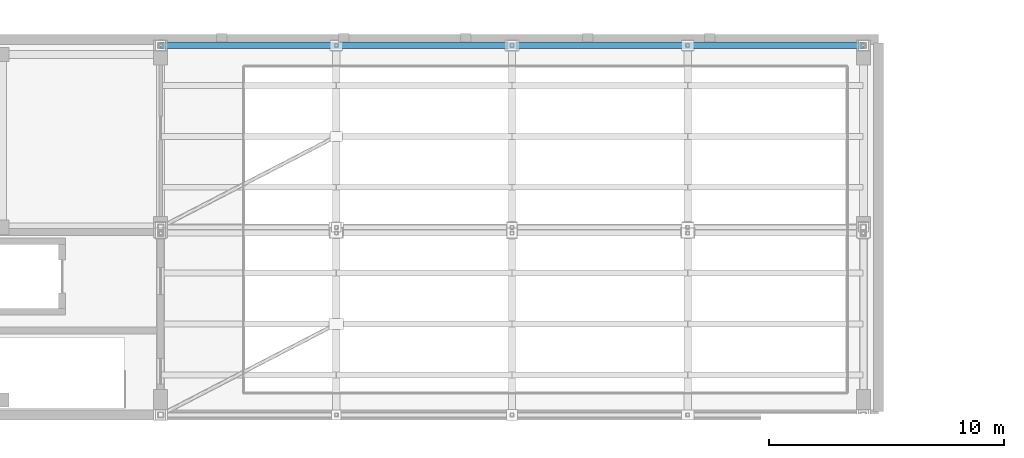
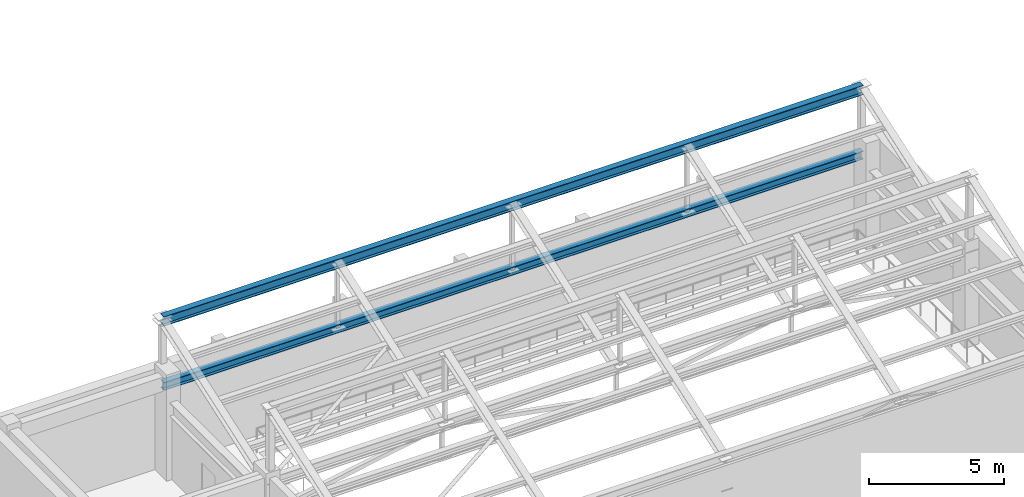
# One storey, part 30 of 76: 2 members.
"""IFC4 building model written with IfcOpenShell, lengths in metres."""

from ifc_helpers import new_model, si_unit, direction, frame, origin, origin_2d, place, context, subcontext, project, spatial, i_section, extrude, material, material_profile, profile_set, type_object, element, save


model = new_model("IFC4")

# Units and contexts
model_context = context("Model", 3, precision=1e-05, world=origin(), true_north=direction((0.0, 1.0)))
body_context = subcontext(model_context, "Body", "Model", "MODEL_VIEW")
ifc_project = project(units=[si_unit("LENGTHUNIT", "METRE"), si_unit("AREAUNIT", "SQUARE_METRE"), si_unit("VOLUMEUNIT", "CUBIC_METRE"), si_unit("PLANEANGLEUNIT", "RADIAN"), si_unit("MASSUNIT", "GRAM", prefix="KILO")], contexts=[model_context])

# Site, building, storey
site_placement = place(None, origin())
site = spatial("IfcSite", under=ifc_project, at=site_placement, CompositionType="ELEMENT")
building_placement = place(site_placement, origin())
building = spatial("IfcBuilding", under=site, at=building_placement, Name="Cinchona Park Media Centre", CompositionType="ELEMENT")
storey_placement = place(building_placement, frame((0.0, 0.0, 15.60009765625)))
storey = spatial("IfcBuildingStorey", under=building, at=storey_placement, Name="L03", CompositionType="ELEMENT", Elevation=15.60009765625)

# Members
ifc_material_1 = material(Name="Steel S355", Category="steel")
ifc_material_profile_1 = material_profile(ifc_material_1, i_section(OverallWidth=0.264892578125, OverallDepth=0.430908203125, WebThickness=0.014892578125, FlangeThickness=0.02490234375, at=origin_2d()), Name="W410X149")
ifc_profile_set_1 = profile_set([ifc_material_profile_1], Name="Steel S355")
member_type_1 = type_object("IfcMemberType", Name="MEMBER-TC03-W410X149", PredefinedType="CHORD", material=ifc_profile_set_1)
member_1_placement = place(storey_placement, frame((15.39990234375, 117.75, 6.699951171875), z_axis=(1.0, 0.0, 0.0), x_axis=(0.0, 1.0, 0.0)))
element("IfcMember", 1, at=member_1_placement, inside=storey, type_object=member_type_1, Name="ROOF TRUSS Ridge Chord V2 Bay 2", PredefinedType="CHORD", context=body_context, shape_type="SweptSolid", body=[
    extrude(i_section(OverallWidth=0.264892578125, OverallDepth=0.430908203125, WebThickness=0.014892578125, FlangeThickness=0.02490234375, at=origin_2d()), origin(), (0.0, 0.0, 1.0), 29.960205078125),
])
ifc_material_2 = material(Name="Steel S355", Category="steel")
ifc_material_profile_2 = material_profile(ifc_material_2, i_section(OverallWidth=0.257080078125, OverallDepth=0.363037109375, WebThickness=0.012939453125, FlangeThickness=0.021728515625, at=origin_2d()), Name="W360X122")
ifc_profile_set_2 = profile_set([ifc_material_profile_2], Name="Steel S355")
member_type_2 = type_object("IfcMemberType", Name="MEMBER-TC04-W360X122", PredefinedType="CHORD", material=ifc_profile_set_2)
member_2_placement = place(storey_placement, frame((15.39990234375, 117.75, 3.75), z_axis=(1.0, 0.0, 0.0), x_axis=(0.0, 1.0, 0.0)))
element("IfcMember", 2, at=member_2_placement, inside=storey, type_object=member_type_2, Name="ROOF TRUSS Monitor Sill Chord V2 Bay 2", PredefinedType="CHORD", context=body_context, shape_type="SweptSolid", body=[
    extrude(i_section(OverallWidth=0.257080078125, OverallDepth=0.363037109375, WebThickness=0.012939453125, FlangeThickness=0.021728515625, at=origin_2d()), origin(), (0.0, 0.0, 1.0), 29.960205078125),
])

save(model, "model.ifc")
